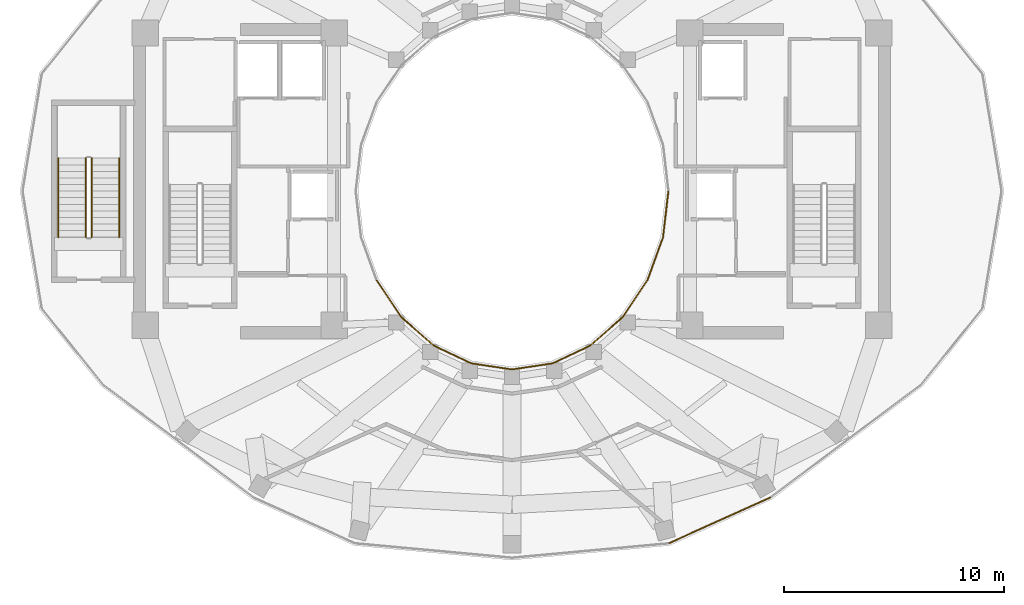
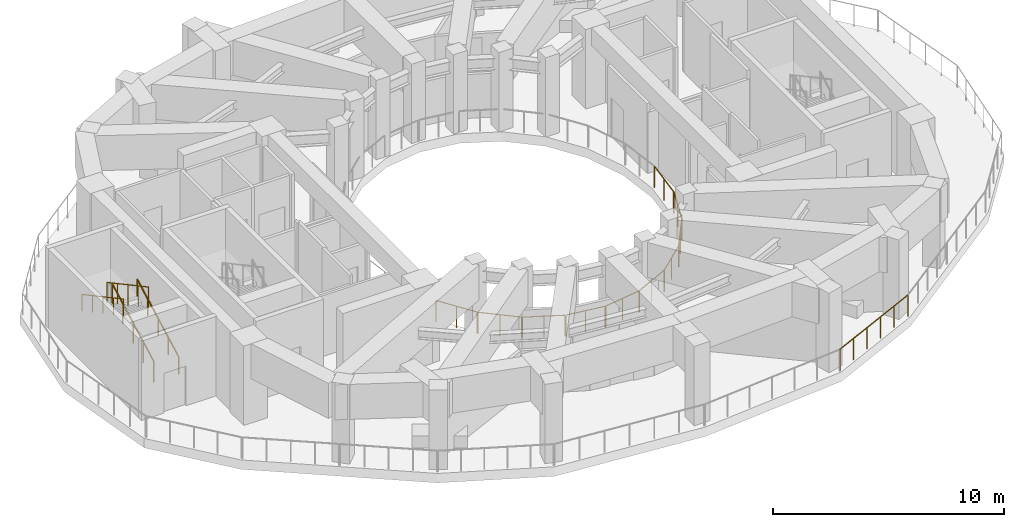
# One storey, part 6 of 9: 15 railings.
"""IFC4 building model written with IfcOpenShell, lengths in metres."""

from ifc_helpers import new_model, si_unit, direction, frame, origin, origin_2d, place, context, subcontext, project, spatial, circle, extrude, material, type_object, element, save


model = new_model("IFC4")

# Units and contexts
model_context = context("Model", 3, precision=1e-05, world=origin(), true_north=direction((0.0, 1.0)))
body_context = subcontext(model_context, "Body", "Model", "MODEL_VIEW")
ifc_project = project(units=[si_unit("LENGTHUNIT", "METRE"), si_unit("AREAUNIT", "SQUARE_METRE"), si_unit("VOLUMEUNIT", "CUBIC_METRE"), si_unit("PLANEANGLEUNIT", "RADIAN"), si_unit("MASSUNIT", "GRAM", prefix="KILO")], contexts=[model_context])

# Site, building, storey
site_placement = place(None, origin())
site = spatial("IfcSite", under=ifc_project, at=site_placement, CompositionType="ELEMENT")
building_placement = place(site_placement, origin())
building = spatial("IfcBuilding", under=site, at=building_placement, Name="Solvane Sanctuary Tower", CompositionType="ELEMENT")
storey_placement = place(building_placement, frame((0.0, 0.0, 197.39990234375)))
storey = spatial("IfcBuildingStorey", under=building, at=storey_placement, Name="L60", CompositionType="ELEMENT", Elevation=197.39990234375)

# Railings
ifc_material = material(Name="Architectural Stainless Steel 316", Category="steel")
railing_type_1 = type_object("IfcRailingType", Name="Railing GR-BALC-1150", PredefinedType="BALUSTRADE", material=ifc_material)
railing_1_placement = place(storey_placement, frame((39.1630859375, 6.977783203125, 0.0)))
element("IfcRailing", 1, at=railing_1_placement, inside=storey, type_object=railing_type_1, Name="L60 Open Void-Portal Perimeter Balustrade 19", PredefinedType="BALUSTRADE", context=body_context, shape_type="SweptSolid", body=[
    extrude(circle(Radius=0.02392578125, at=origin_2d()), frame((0.0, 0.0, 1.1259765625), z_axis=(0.911317289511, 0.411704745952, 0.0), x_axis=(-0.411704745952, 0.911317289511, 0.0)), (0.0, 0.0, 1.0), 5.04345703125),
    extrude(circle(Radius=0.02099609375, at=origin_2d()), origin(), (0.0, 0.0, 1.0), 1.101806640625),
    extrude(circle(Radius=0.02099609375, at=origin_2d()), frame((0.919189453125, 0.415283203125, 0.0)), (0.0, 0.0, 1.0), 1.101806640625),
    extrude(circle(Radius=0.02099609375, at=origin_2d()), frame((1.83837890625, 0.83056640625, 0.0)), (0.0, 0.0, 1.0), 1.101806640625),
    extrude(circle(Radius=0.02099609375, at=origin_2d()), frame((2.7578125, 1.245849609375, 0.0)), (0.0, 0.0, 1.0), 1.101806640625),
    extrude(circle(Radius=0.02099609375, at=origin_2d()), frame((3.677001953125, 1.6611328125, 0.0)), (0.0, 0.0, 1.0), 1.101806640625),
    extrude(circle(Radius=0.02099609375, at=origin_2d()), frame((4.59619140625, 2.076416015625, 0.0)), (0.0, 0.0, 1.0), 1.101806640625),
])
railing_2_placement = place(storey_placement, frame((12.860107421875, 20.89990234375, 0.16162109375)))
element("IfcRailing", 2, at=railing_2_placement, inside=storey, type_object=railing_type_1, Name="L60 ST-3 stair guard 1", PredefinedType="BALUSTRADE", context=body_context, shape_type="SweptSolid", body=[
    extrude(circle(Radius=0.02392578125, at=origin_2d()), frame((0.0, 0.0, 1.076171875), z_axis=(0.0, 0.880474934443, 0.474092701714), x_axis=(-1.0, 0.0, 0.0)), (0.0, 0.0, 1.0), 4.0888671875),
    extrude(circle(Radius=0.02099609375, at=origin_2d()), origin(), (0.0, 0.0, 1.0), 1.052001953125),
    extrude(circle(Radius=0.02099609375, at=origin_2d()), frame((0.0, 0.89990234375, 0.484619140625)), (0.0, 0.0, 1.0), 1.052001953125),
    extrude(circle(Radius=0.02099609375, at=origin_2d()), frame((0.0, 1.800048828125, 0.96923828125)), (0.0, 0.0, 1.0), 1.052001953125),
    extrude(circle(Radius=0.02099609375, at=origin_2d()), frame((0.0, 2.7001953125, 1.453857421875)), (0.0, 0.0, 1.0), 1.052001953125),
    extrude(circle(Radius=0.02099609375, at=origin_2d()), frame((0.0, 3.60009765625, 1.9384765625)), (0.0, 0.0, 1.0), 1.052001953125),
])
railing_3_placement = place(storey_placement, frame((12.60009765625, 24.5, 2.26171875)))
element("IfcRailing", 3, at=railing_3_placement, inside=storey, type_object=railing_type_1, Name="L60 ST-3 stair guard 3", PredefinedType="BALUSTRADE", context=body_context, shape_type="SweptSolid", body=[
    extrude(circle(Radius=0.02392578125, at=origin_2d()), frame((0.0, 0.0, 1.076171875), z_axis=(0.0, -0.880474934443, 0.474092701714), x_axis=(1.0, 0.0, 0.0)), (0.0, 0.0, 1.0), 4.0888671875),
    extrude(circle(Radius=0.02099609375, at=origin_2d()), origin(), (0.0, 0.0, 1.0), 1.052001953125),
    extrude(circle(Radius=0.02099609375, at=origin_2d()), frame((0.0, -0.89990234375, 0.484619140625)), (0.0, 0.0, 1.0), 1.052001953125),
    extrude(circle(Radius=0.02099609375, at=origin_2d()), frame((0.0, -1.800048828125, 0.96923828125)), (0.0, 0.0, 1.0), 1.052001953125),
    extrude(circle(Radius=0.02099609375, at=origin_2d()), frame((0.0, -2.7001953125, 1.453857421875)), (0.0, 0.0, 1.0), 1.052001953125),
    extrude(circle(Radius=0.02099609375, at=origin_2d()), frame((0.0, -3.60009765625, 1.9384765625)), (0.0, 0.0, 1.0), 1.052001953125),
])
railing_type_2 = type_object("IfcRailingType", Name="Railing GR-WELL-1150", PredefinedType="GUARDRAIL", material=ifc_material)
railing_4_placement = place(storey_placement, frame((25.84521484375, 18.92333984375, 0.0)))
element("IfcRailing", 4, at=railing_4_placement, inside=storey, type_object=railing_type_2, Name="L60 Open Refuge Light-Well Guardrail 14", PredefinedType="GUARDRAIL", context=body_context, shape_type="SweptSolid", body=[
    extrude(circle(Radius=0.02392578125, at=origin_2d()), frame((0.0, 0.0, 1.1259765625), z_axis=(0.558155157445, -0.829736596889, 0.0), x_axis=(0.829736596889, 0.558155157445, 0.0)), (0.0, 0.0, 1.0), 1.98681640625),
    extrude(circle(Radius=0.02099609375, at=origin_2d()), origin(), (0.0, 0.0, 1.0), 1.101806640625),
    extrude(circle(Radius=0.02099609375, at=origin_2d()), frame((0.554443359375, -0.82421875, 0.0)), (0.0, 0.0, 1.0), 1.101806640625),
    extrude(circle(Radius=0.02099609375, at=origin_2d()), frame((1.10888671875, -1.6484375, 0.0)), (0.0, 0.0, 1.0), 1.101806640625),
])
railing_5_placement = place(storey_placement, frame((26.98046875, 17.2451171875, 0.0)))
element("IfcRailing", 5, at=railing_5_placement, inside=storey, type_object=railing_type_2, Name="L60 Open Refuge Light-Well Guardrail 15", PredefinedType="GUARDRAIL", context=body_context, shape_type="SweptSolid", body=[
    extrude(circle(Radius=0.02392578125, at=origin_2d()), frame((0.0, 0.0, 1.1259765625), z_axis=(0.752545174005, -0.658540629788, 0.0), x_axis=(0.658540629788, 0.752545174005, 0.0)), (0.0, 0.0, 1.0), 1.919189453125),
    extrude(circle(Radius=0.02099609375, at=origin_2d()), origin(), (0.0, 0.0, 1.0), 1.101806640625),
    extrude(circle(Radius=0.02099609375, at=origin_2d()), frame((0.72216796875, -0.6318359375, 0.0)), (0.0, 0.0, 1.0), 1.101806640625),
    extrude(circle(Radius=0.02099609375, at=origin_2d()), frame((1.4443359375, -1.263916015625, 0.0)), (0.0, 0.0, 1.0), 1.101806640625),
])
railing_6_placement = place(storey_placement, frame((28.4580078125, 15.95947265625, 0.0)))
element("IfcRailing", 6, at=railing_6_placement, inside=storey, type_object=railing_type_2, Name="L60 Open Refuge Light-Well Guardrail 16", PredefinedType="GUARDRAIL", context=body_context, shape_type="SweptSolid", body=[
    extrude(circle(Radius=0.02392578125, at=origin_2d()), frame((0.0, 0.0, 1.1259765625), z_axis=(0.90418385242, -0.427143489968, 0.0), x_axis=(0.427143489968, 0.90418385242, 0.0)), (0.0, 0.0, 1.0), 1.859375),
    extrude(circle(Radius=0.02099609375, at=origin_2d()), origin(), (0.0, 0.0, 1.0), 1.101806640625),
    extrude(circle(Radius=0.02099609375, at=origin_2d()), frame((0.840576171875, -0.39697265625, 0.0)), (0.0, 0.0, 1.0), 1.101806640625),
    extrude(circle(Radius=0.02099609375, at=origin_2d()), frame((1.68115234375, -0.794189453125, 0.0)), (0.0, 0.0, 1.0), 1.101806640625),
])
railing_7_placement = place(storey_placement, frame((30.177001953125, 15.15380859375, 0.0)))
element("IfcRailing", 7, at=railing_7_placement, inside=storey, type_object=railing_type_2, Name="L60 Open Refuge Light-Well Guardrail 17", PredefinedType="GUARDRAIL", context=body_context, shape_type="SweptSolid", body=[
    extrude(circle(Radius=0.02392578125, at=origin_2d()), frame((0.0, 0.0, 1.1259765625), z_axis=(0.988914736588, -0.148484489964, 0.0), x_axis=(0.148484489964, 0.988914736588, 0.0)), (0.0, 0.0, 1.0), 1.823486328125),
    extrude(circle(Radius=0.02099609375, at=origin_2d()), origin(), (0.0, 0.0, 1.0), 1.101806640625),
    extrude(circle(Radius=0.02099609375, at=origin_2d()), frame((0.901611328125, -0.13525390625, 0.0)), (0.0, 0.0, 1.0), 1.101806640625),
    extrude(circle(Radius=0.02099609375, at=origin_2d()), frame((1.80322265625, -0.270751953125, 0.0)), (0.0, 0.0, 1.0), 1.101806640625),
])
railing_8_placement = place(storey_placement, frame((32.019775390625, 14.883056640625, 0.0)))
element("IfcRailing", 8, at=railing_8_placement, inside=storey, type_object=railing_type_2, Name="L60 Open Refuge Light-Well Guardrail 18", PredefinedType="GUARDRAIL", context=body_context, shape_type="SweptSolid", body=[
    extrude(circle(Radius=0.02392578125, at=origin_2d()), frame((0.0, 0.0, 1.1259765625), z_axis=(0.988914736588, 0.148484489964, 0.0), x_axis=(-0.148484489964, 0.988914736588, 0.0)), (0.0, 0.0, 1.0), 1.823486328125),
    extrude(circle(Radius=0.02099609375, at=origin_2d()), origin(), (0.0, 0.0, 1.0), 1.101806640625),
    extrude(circle(Radius=0.02099609375, at=origin_2d()), frame((0.901611328125, 0.13525390625, 0.0)), (0.0, 0.0, 1.0), 1.101806640625),
    extrude(circle(Radius=0.02099609375, at=origin_2d()), frame((1.80322265625, 0.270751953125, 0.0)), (0.0, 0.0, 1.0), 1.101806640625),
])
railing_9_placement = place(storey_placement, frame((33.86083984375, 15.165283203125, 0.0)))
element("IfcRailing", 9, at=railing_9_placement, inside=storey, type_object=railing_type_2, Name="L60 Open Refuge Light-Well Guardrail 19", PredefinedType="GUARDRAIL", context=body_context, shape_type="SweptSolid", body=[
    extrude(circle(Radius=0.02392578125, at=origin_2d()), frame((0.0, 0.0, 1.1259765625), z_axis=(0.90418385242, 0.427143489968, 0.0), x_axis=(-0.427143489968, 0.90418385242, 0.0)), (0.0, 0.0, 1.0), 1.859375),
    extrude(circle(Radius=0.02099609375, at=origin_2d()), origin(), (0.0, 0.0, 1.0), 1.101806640625),
    extrude(circle(Radius=0.02099609375, at=origin_2d()), frame((0.840576171875, 0.39697265625, 0.0)), (0.0, 0.0, 1.0), 1.101806640625),
    extrude(circle(Radius=0.02099609375, at=origin_2d()), frame((1.68115234375, 0.794189453125, 0.0)), (0.0, 0.0, 1.0), 1.101806640625),
])
railing_10_placement = place(storey_placement, frame((35.5751953125, 15.981201171875, 0.0)))
element("IfcRailing", 10, at=railing_10_placement, inside=storey, type_object=railing_type_2, Name="L60 Open Refuge Light-Well Guardrail 20", PredefinedType="GUARDRAIL", context=body_context, shape_type="SweptSolid", body=[
    extrude(circle(Radius=0.02392578125, at=origin_2d()), frame((0.0, 0.0, 1.1259765625), z_axis=(0.752545174005, 0.658540629788, 0.0), x_axis=(-0.658540629788, 0.752545174005, 0.0)), (0.0, 0.0, 1.0), 1.919189453125),
    extrude(circle(Radius=0.02099609375, at=origin_2d()), origin(), (0.0, 0.0, 1.0), 1.101806640625),
    extrude(circle(Radius=0.02099609375, at=origin_2d()), frame((0.72216796875, 0.6318359375, 0.0)), (0.0, 0.0, 1.0), 1.101806640625),
    extrude(circle(Radius=0.02099609375, at=origin_2d()), frame((1.4443359375, 1.263916015625, 0.0)), (0.0, 0.0, 1.0), 1.101806640625),
])
railing_11_placement = place(storey_placement, frame((37.0458984375, 17.27490234375, 0.0)))
element("IfcRailing", 11, at=railing_11_placement, inside=storey, type_object=railing_type_2, Name="L60 Open Refuge Light-Well Guardrail 21", PredefinedType="GUARDRAIL", context=body_context, shape_type="SweptSolid", body=[
    extrude(circle(Radius=0.02392578125, at=origin_2d()), frame((0.0, 0.0, 1.1259765625), z_axis=(0.558155157445, 0.829736596889, 0.0), x_axis=(-0.829736596889, 0.558155157445, 0.0)), (0.0, 0.0, 1.0), 1.98681640625),
    extrude(circle(Radius=0.02099609375, at=origin_2d()), origin(), (0.0, 0.0, 1.0), 1.101806640625),
    extrude(circle(Radius=0.02099609375, at=origin_2d()), frame((0.554443359375, 0.82421875, 0.0)), (0.0, 0.0, 1.0), 1.101806640625),
    extrude(circle(Radius=0.02099609375, at=origin_2d()), frame((1.10888671875, 1.6484375, 0.0)), (0.0, 0.0, 1.0), 1.101806640625),
])
railing_12_placement = place(storey_placement, frame((38.1728515625, 18.958740234375, 0.0)))
element("IfcRailing", 12, at=railing_12_placement, inside=storey, type_object=railing_type_2, Name="L60 Open Refuge Light-Well Guardrail 22", PredefinedType="GUARDRAIL", context=body_context, shape_type="SweptSolid", body=[
    extrude(circle(Radius=0.02392578125, at=origin_2d()), frame((0.0, 0.0, 1.1259765625), z_axis=(0.341416925197, 0.93991195502, 0.0), x_axis=(-0.93991195502, 0.341416925197, 0.0)), (0.0, 0.0, 1.0), 2.043701171875),
    extrude(circle(Radius=0.02099609375, at=origin_2d()), origin(), (0.0, 0.0, 1.0), 1.101806640625),
    extrude(circle(Radius=0.02099609375, at=origin_2d()), frame((0.348876953125, 0.96044921875, 0.0)), (0.0, 0.0, 1.0), 1.101806640625),
    extrude(circle(Radius=0.02099609375, at=origin_2d()), frame((0.69775390625, 1.9208984375, 0.0)), (0.0, 0.0, 1.0), 1.101806640625),
])
railing_13_placement = place(storey_placement, frame((38.879638671875, 20.918212890625, 0.0)))
element("IfcRailing", 13, at=railing_13_placement, inside=storey, type_object=railing_type_2, Name="L60 Open Refuge Light-Well Guardrail 23", PredefinedType="GUARDRAIL", context=body_context, shape_type="SweptSolid", body=[
    extrude(circle(Radius=0.02392578125, at=origin_2d()), frame((0.0, 0.0, 1.1259765625), z_axis=(0.114691080618, 0.993401205972, 0.0), x_axis=(-0.993401205972, 0.114691080618, 0.0)), (0.0, 0.0, 1.0), 2.075439453125),
    extrude(circle(Radius=0.02099609375, at=origin_2d()), origin(), (0.0, 0.0, 1.0), 1.101806640625),
    extrude(circle(Radius=0.02099609375, at=origin_2d()), frame((0.119140625, 1.03076171875, 0.0)), (0.0, 0.0, 1.0), 1.101806640625),
    extrude(circle(Radius=0.02099609375, at=origin_2d()), frame((0.238037109375, 2.061767578125, 0.0)), (0.0, 0.0, 1.0), 1.101806640625),
])
railing_type_3 = type_object("IfcRailingType", Name="Railing HR-STAIR-920", PredefinedType="HANDRAIL", material=ifc_material)
railing_14_placement = place(storey_placement, frame((14.110107421875, 20.89990234375, 0.16162109375)))
element("IfcRailing", 14, at=railing_14_placement, inside=storey, type_object=railing_type_3, Name="L60 ST-3 stair handrail 1", PredefinedType="HANDRAIL", context=body_context, shape_type="SweptSolid", body=[
    extrude(circle(Radius=0.02392578125, at=origin_2d()), frame((0.0, 0.0, 0.8759765625), z_axis=(0.0, 0.880474934443, 0.474092701714), x_axis=(-1.0, 0.0, 0.0)), (0.0, 0.0, 1.0), 4.0888671875),
    extrude(circle(Radius=0.02099609375, at=origin_2d()), origin(), (0.0, 0.0, 1.0), 0.851806640625),
    extrude(circle(Radius=0.02099609375, at=origin_2d()), frame((0.0, 0.89990234375, 0.484619140625)), (0.0, 0.0, 1.0), 0.851806640625),
    extrude(circle(Radius=0.02099609375, at=origin_2d()), frame((0.0, 1.800048828125, 0.96923828125)), (0.0, 0.0, 1.0), 0.851806640625),
    extrude(circle(Radius=0.02099609375, at=origin_2d()), frame((0.0, 2.7001953125, 1.453857421875)), (0.0, 0.0, 1.0), 0.851806640625),
    extrude(circle(Radius=0.02099609375, at=origin_2d()), frame((0.0, 3.60009765625, 1.9384765625)), (0.0, 0.0, 1.0), 0.851806640625),
])
railing_15_placement = place(storey_placement, frame((11.35009765625, 24.5, 2.26171875)))
element("IfcRailing", 15, at=railing_15_placement, inside=storey, type_object=railing_type_3, Name="L60 ST-3 stair handrail 2", PredefinedType="HANDRAIL", context=body_context, shape_type="SweptSolid", body=[
    extrude(circle(Radius=0.02392578125, at=origin_2d()), frame((0.0, 0.0, 0.8759765625), z_axis=(0.0, -0.880474934443, 0.474092701714), x_axis=(1.0, 0.0, 0.0)), (0.0, 0.0, 1.0), 4.0888671875),
    extrude(circle(Radius=0.02099609375, at=origin_2d()), origin(), (0.0, 0.0, 1.0), 0.851806640625),
    extrude(circle(Radius=0.02099609375, at=origin_2d()), frame((0.0, -0.89990234375, 0.484619140625)), (0.0, 0.0, 1.0), 0.851806640625),
    extrude(circle(Radius=0.02099609375, at=origin_2d()), frame((0.0, -1.800048828125, 0.96923828125)), (0.0, 0.0, 1.0), 0.851806640625),
    extrude(circle(Radius=0.02099609375, at=origin_2d()), frame((0.0, -2.7001953125, 1.453857421875)), (0.0, 0.0, 1.0), 0.851806640625),
    extrude(circle(Radius=0.02099609375, at=origin_2d()), frame((0.0, -3.60009765625, 1.9384765625)), (0.0, 0.0, 1.0), 0.851806640625),
])

save(model, "model.ifc")
